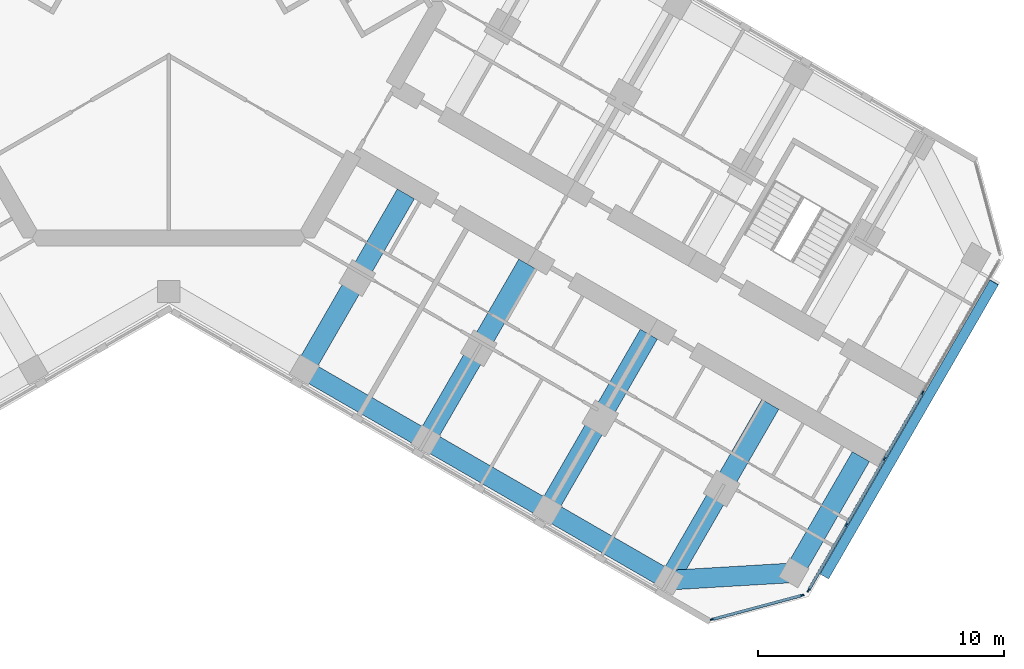
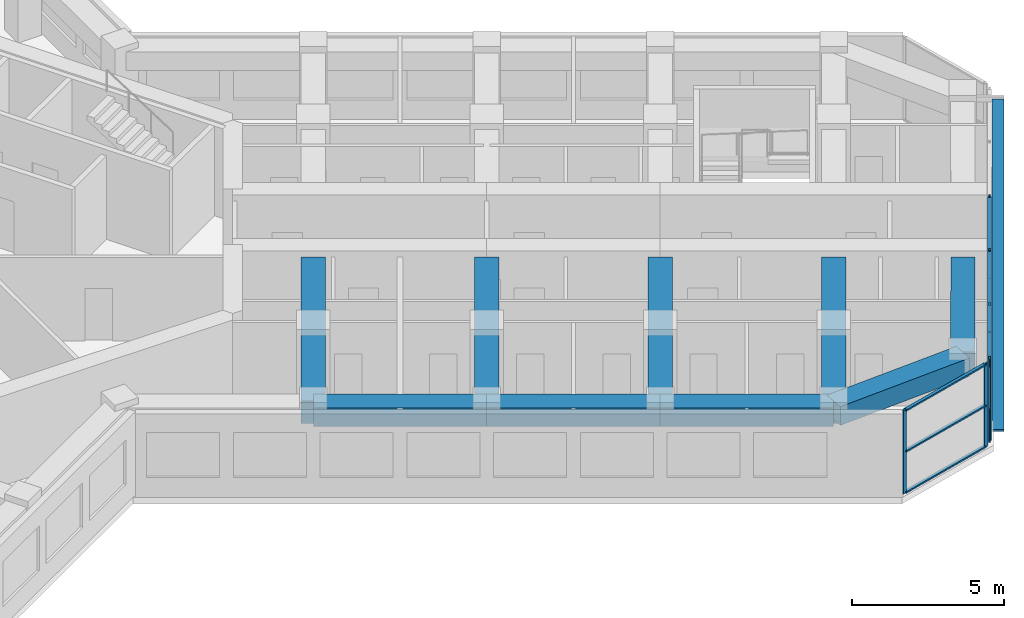
# One storey, part 4 of 16: 16 members, 9 beams, 2 elements without a shape of their own.
"""IFC4 building model written with IfcOpenShell, lengths in metres."""

from ifc_helpers import new_model, si_unit, direction, frame, origin, origin_2d, place, context, subcontext, project, spatial, rectangle, extrude, material, material_profile, profile_set, type_object, element, aggregate, save


model = new_model("IFC4")

# Units and contexts
model_context = context("Model", 3, precision=1e-05, world=origin(), true_north=direction((0.0, 1.0)))
body_context = subcontext(model_context, "Body", "Model", "MODEL_VIEW")
ifc_project = project(units=[si_unit("LENGTHUNIT", "METRE"), si_unit("AREAUNIT", "SQUARE_METRE"), si_unit("VOLUMEUNIT", "CUBIC_METRE"), si_unit("PLANEANGLEUNIT", "RADIAN"), si_unit("MASSUNIT", "GRAM", prefix="KILO")], contexts=[model_context])

# Site, building, storey
site_placement = place(None, origin())
site = spatial("IfcSite", under=ifc_project, at=site_placement, CompositionType="ELEMENT")
building_placement = place(site_placement, origin())
building = spatial("IfcBuilding", under=site, at=building_placement, Name="Kosmar Iwan School Tower", CompositionType="ELEMENT")
storey_placement = place(building_placement, frame((0.0, 0.0, 215.39990234375)))
storey = spatial("IfcBuildingStorey", under=building, at=storey_placement, Name="L54", CompositionType="ELEMENT", Elevation=215.39990234375)

# Member
ifc_material_1 = material(Name="Black anodised aluminium", Category="aluminium")
ifc_material_profile_1 = material_profile(ifc_material_1, rectangle(XDim=0.10009765625, YDim=0.39990234375, at=origin_2d()), Name="FIN 100x400")
ifc_profile_set_1 = profile_set([ifc_material_profile_1], Name="Black anodised aluminium")
member_type_1 = type_object("IfcMemberType", Name="Diagonal fin 100x400", PredefinedType="USERDEFINED", material=ifc_profile_set_1)
member_1_placement = place(storey_placement, frame((26.645263671875, -23.34912109375, -0.14990234375), z_axis=(0.483793446988, 0.837970316603, 0.25248692866), x_axis=(-0.126241714543, -0.218661104574, 0.96760030532)))
element("IfcMember", 1, at=member_1_placement, inside=storey, type_object=member_type_1, Name="Diagonal fin L54-F01", ObjectType="FIN", PredefinedType="USERDEFINED", context=body_context, shape_type="SweptSolid", body=[
    extrude(rectangle(XDim=0.10009765625, YDim=0.39990234375, at=origin_2d()), origin(), (0.0, 0.0, 1.0), 14.258544921875),
])

# Curtain wall, members
ifc_material_2 = material(Name="Dark glass in black aluminium frame", Category="aluminium")
curtain_wall_type_1 = type_object("IfcCurtainWallType", Name="Chamfer curtain wall dark glass", PredefinedType="USERDEFINED", material=ifc_material_2)
curtain_wall_1_placement = place(storey_placement, origin())
curtain_wall_1 = element("IfcCurtainWall", 2, at=curtain_wall_1_placement, inside=storey, type_object=curtain_wall_type_1, Name="Curtain wall L54-F00", ObjectType="FACETED CURTAIN WALL", PredefinedType="USERDEFINED")
ifc_material_3 = material(Name="Black anodised aluminium", Category="aluminium")
ifc_material_profile_2 = material_profile(ifc_material_3, rectangle(XDim=0.06005859375, YDim=0.159912109375, at=origin_2d()), Name="MULLION 60x160")
ifc_profile_set_2 = profile_set([ifc_material_profile_2], Name="Black anodised aluminium")
member_type_2 = type_object("IfcMemberType", Name="Mullion 60x160", PredefinedType="MULLION", material=ifc_profile_set_2)
member_2_placement = place(storey_placement, frame((22.0830078125, -25.102294921875, 0.0), z_axis=(0.0, 0.0, 1.0), x_axis=(-0.258818861462, 0.965925875495, 0.0)))
member_2 = element("IfcMember", 3, at=member_2_placement, type_object=member_type_2, Name="CW2 mullion 1", PredefinedType="MULLION", context=body_context, shape_type="SweptSolid", body=[
    extrude(rectangle(XDim=0.06005859375, YDim=0.159912109375, at=origin_2d()), origin(), (0.0, 0.0, 1.0), 3.35009765625),
])
member_3_placement = place(storey_placement, frame((25.733154296875, -24.124267578125, 0.0), z_axis=(0.0, 0.0, 1.0), x_axis=(-0.258818861462, 0.965925875495, 0.0)))
member_3 = element("IfcMember", 4, at=member_3_placement, type_object=member_type_2, Name="CW2 mullion 2", PredefinedType="MULLION", context=body_context, shape_type="SweptSolid", body=[
    extrude(rectangle(XDim=0.06005859375, YDim=0.159912109375, at=origin_2d()), origin(), (0.0, 0.0, 1.0), 3.35009765625),
])

ifc_material_4 = material(Name="Dark glass in black aluminium frame", Category="aluminium")
curtain_wall_type_2 = type_object("IfcCurtainWallType", Name="Tower curtain wall dark glass", PredefinedType="USERDEFINED", material=ifc_material_4)
curtain_wall_2_placement = place(storey_placement, origin())
curtain_wall_2 = element("IfcCurtainWall", 5, at=curtain_wall_2_placement, inside=storey, type_object=curtain_wall_type_2, Name="Curtain wall L54-F01", ObjectType="UNITISED CURTAIN WALL", PredefinedType="USERDEFINED")
member_4_placement = place(storey_placement, frame((25.9970703125, -23.921630859375, 0.0), z_axis=(0.0, 0.0, 1.0), x_axis=(-0.866025405329, 0.499999997325, 0.0)))
member_4 = element("IfcMember", 6, at=member_4_placement, type_object=member_type_2, Name="CW1 mullion 1", PredefinedType="MULLION", context=body_context, shape_type="SweptSolid", body=[
    extrude(rectangle(XDim=0.06005859375, YDim=0.159912109375, at=origin_2d()), origin(), (0.0, 0.0, 1.0), 3.35009765625),
])
member_5_placement = place(storey_placement, frame((27.53173828125, -21.263671875, 0.0), z_axis=(0.0, 0.0, 1.0), x_axis=(-0.866025405329, 0.499999997325, 0.0)))
member_5 = element("IfcMember", 7, at=member_5_placement, type_object=member_type_2, Name="CW1 mullion 2", PredefinedType="MULLION", context=body_context, shape_type="SweptSolid", body=[
    extrude(rectangle(XDim=0.06005859375, YDim=0.159912109375, at=origin_2d()), origin(), (0.0, 0.0, 1.0), 3.35009765625),
])
member_6_placement = place(storey_placement, frame((29.081298828125, -18.57958984375, 0.0), z_axis=(0.0, 0.0, 1.0), x_axis=(-0.866025405329, 0.499999997325, 0.0)))
member_6 = element("IfcMember", 8, at=member_6_placement, type_object=member_type_2, Name="CW1 mullion 3", PredefinedType="MULLION", context=body_context, shape_type="SweptSolid", body=[
    extrude(rectangle(XDim=0.06005859375, YDim=0.159912109375, at=origin_2d()), origin(), (0.0, 0.0, 1.0), 3.35009765625),
])
member_7_placement = place(storey_placement, frame((30.631103515625, -15.8955078125, 0.0), z_axis=(0.0, 0.0, 1.0), x_axis=(-0.866025405329, 0.499999997325, 0.0)))
member_7 = element("IfcMember", 9, at=member_7_placement, type_object=member_type_2, Name="CW1 mullion 4", PredefinedType="MULLION", context=body_context, shape_type="SweptSolid", body=[
    extrude(rectangle(XDim=0.06005859375, YDim=0.159912109375, at=origin_2d()), origin(), (0.0, 0.0, 1.0), 3.35009765625),
])

# Beams
ifc_material_5 = material(Name="Concrete C50/60", Category="concrete")
ifc_material_profile_3 = material_profile(ifc_material_5, rectangle(XDim=0.800048828125, YDim=0.75, at=origin_2d()), Name="RC 800x750")
ifc_profile_set_3 = profile_set([ifc_material_profile_3], Name="Concrete C50/60")
beam_type_1 = type_object("IfcBeamType", Name="RC edge beam 800x750", PredefinedType="BEAM", material=ifc_profile_set_3)
beam_1_placement = place(storey_placement, frame((5.5087890625, -14.95849609375, 2.97509765625), z_axis=(0.866033658841, -0.49998570155, 0.0), x_axis=(0.49998570155, 0.866033658841, 0.0)))
element("IfcBeam", 10, at=beam_1_placement, inside=storey, type_object=beam_type_1, Name="Edge beam CR2", PredefinedType="BEAM", context=body_context, shape_type="SweptSolid", body=[
    extrude(rectangle(XDim=0.800048828125, YDim=0.75, at=origin_2d()), origin(), (0.0, 0.0, 1.0), 5.699951171875),
])
beam_2_placement = place(storey_placement, frame((10.445068359375, -17.808349609375, 2.97509765625), z_axis=(0.866025820012, -0.499999279071, 0.0), x_axis=(0.499999279071, 0.866025820012, 0.0)))
element("IfcBeam", 11, at=beam_2_placement, inside=storey, type_object=beam_type_1, Name="Edge beam CR3", PredefinedType="BEAM", context=body_context, shape_type="SweptSolid", body=[
    extrude(rectangle(XDim=0.800048828125, YDim=0.75, at=origin_2d()), origin(), (0.0, 0.0, 1.0), 5.7001953125),
])
beam_3_placement = place(storey_placement, frame((15.381591796875, -20.658447265625, 2.97509765625), z_axis=(0.866015111908, -0.50001782563, 0.0), x_axis=(0.50001782563, 0.866015111908, 0.0)))
element("IfcBeam", 12, at=beam_3_placement, inside=storey, type_object=beam_type_1, Name="Edge beam CR4", PredefinedType="BEAM", context=body_context, shape_type="SweptSolid", body=[
    extrude(rectangle(XDim=0.800048828125, YDim=0.75, at=origin_2d()), origin(), (0.0, 0.0, 1.0), 5.699951171875),
])
ifc_material_6 = material(Name="Concrete C50/60", Category="concrete")
ifc_material_profile_4 = material_profile(ifc_material_6, rectangle(XDim=0.800048828125, YDim=0.75, at=origin_2d()), Name="RC 800x750")
ifc_profile_set_4 = profile_set([ifc_material_profile_4], Name="Concrete C50/60")
beam_type_2 = type_object("IfcBeamType", Name="RC tip beam 800x750", PredefinedType="BEAM", material=ifc_profile_set_4)
beam_4_placement = place(storey_placement, frame((20.31787109375, -23.508544921875, 2.97509765625), z_axis=(0.998260616478, 0.058955420358, 0.0), x_axis=(-0.058955420358, 0.998260616478, 0.0)))
element("IfcBeam", 13, at=beam_4_placement, inside=storey, type_object=beam_type_2, Name="Tip beam CR", PredefinedType="BEAM", context=body_context, shape_type="SweptSolid", body=[
    extrude(rectangle(XDim=0.800048828125, YDim=0.75, at=origin_2d()), origin(), (0.0, 0.0, 1.0), 5.08935546875),
])
beam_5_placement = place(storey_placement, frame((25.3984375, -23.20849609375, 2.97509765625), z_axis=(0.500022328685, 0.866012511928, 0.0), x_axis=(-0.866012511928, 0.500022328685, 0.0)))
element("IfcBeam", 14, at=beam_5_placement, inside=storey, type_object=beam_type_2, Name="Tip beam CR to corridor wall", PredefinedType="BEAM", context=body_context, shape_type="SweptSolid", body=[
    extrude(rectangle(XDim=0.800048828125, YDim=0.75, at=origin_2d()), origin(), (0.0, 0.0, 1.0), 5.449951171875),
])
ifc_material_7 = material(Name="Concrete C50/60", Category="concrete")
ifc_material_profile_5 = material_profile(ifc_material_7, rectangle(XDim=0.800048828125, YDim=0.89990234375, at=origin_2d()), Name="RC 800x900")
ifc_profile_set_5 = profile_set([ifc_material_profile_5], Name="Concrete C50/60")
beam_type_3 = type_object("IfcBeamType", Name="RC transverse beam 800x900", PredefinedType="BEAM", material=ifc_profile_set_5)
beam_6_placement = place(storey_placement, frame((5.5087890625, -14.95849609375, 2.900146484375), z_axis=(0.499996545922, 0.866027397988, 0.0), x_axis=(-0.866027397988, 0.499996545922, 0.0)))
element("IfcBeam", 15, at=beam_6_placement, inside=storey, type_object=beam_type_3, Name="Transverse beam CR1", PredefinedType="BEAM", context=body_context, shape_type="SweptSolid", body=[
    extrude(rectangle(XDim=0.800048828125, YDim=0.89990234375, at=origin_2d()), origin(), (0.0, 0.0, 1.0), 8.25),
])
beam_7_placement = place(storey_placement, frame((10.445068359375, -17.808349609375, 2.900146484375), z_axis=(0.500009360108, 0.866019999656, 0.0), x_axis=(-0.866019999656, 0.500009360108, 0.0)))
element("IfcBeam", 16, at=beam_7_placement, inside=storey, type_object=beam_type_3, Name="Transverse beam CR2", PredefinedType="BEAM", context=body_context, shape_type="SweptSolid", body=[
    extrude(rectangle(XDim=0.800048828125, YDim=0.89990234375, at=origin_2d()), origin(), (0.0, 0.0, 1.0), 8.249755859375),
])
for number, where, z_axis, x_axis, name in (
    (17, (15.381591796875, -20.658447265625, 2.900146484375), (0.499996545922, 0.866027397988, 0.0), (-0.866027397988, 0.499996545922, 0.0), "Transverse beam CR3"),
    (18, (20.31787109375, -23.508544921875, 2.900146484375), (0.499996545922, 0.866027397988, 0.0), (-0.866027397988, 0.499996545922, 0.0), "Transverse beam CR4"),
):
    element("IfcBeam", number, at=place(storey_placement, frame(where, z_axis=z_axis, x_axis=x_axis)), inside=storey, type_object=beam_type_3, Name=name, PredefinedType="BEAM", context=body_context, shape_type="SweptSolid", body=[
        extrude(rectangle(XDim=0.800048828125, YDim=0.89990234375, at=origin_2d()), origin(), (0.0, 0.0, 1.0), 8.25),
    ])

# Member
ifc_material_8 = material(Name="Black anodised aluminium", Category="aluminium")
ifc_material_profile_6 = material_profile(ifc_material_8, rectangle(XDim=0.1201171875, YDim=0.06005859375, at=origin_2d()), Name="TRANSOM 60x120")
ifc_profile_set_6 = profile_set([ifc_material_profile_6], Name="Black anodised aluminium")
member_type_3 = type_object("IfcMemberType", Name="Transom 60x120", PredefinedType="USERDEFINED", material=ifc_profile_set_6)
member_8_placement = place(storey_placement, frame((22.11181640625, -25.094482421875, 0.030029296875), z_axis=(0.965923731726, 0.258826861991, 0.0), x_axis=(-0.258826861991, 0.965923731726, 0.0)))
member_8 = element("IfcMember", 19, at=member_8_placement, type_object=member_type_3, Name="CW2 transom 1.1", ObjectType="TRANSOM", PredefinedType="USERDEFINED", context=body_context, shape_type="SweptSolid", body=[
    extrude(rectangle(XDim=0.1201171875, YDim=0.06005859375, at=origin_2d()), origin(), (0.0, 0.0, 1.0), 3.71923828125),
])

member_9_placement = place(storey_placement, frame((22.11181640625, -25.094482421875, 1.675048828125), z_axis=(0.965923731726, 0.258826861991, 0.0), x_axis=(-0.258826861991, 0.965923731726, 0.0)))
member_9 = element("IfcMember", 20, at=member_9_placement, type_object=member_type_3, Name="CW2 transom 1.2", ObjectType="TRANSOM", PredefinedType="USERDEFINED", context=body_context, shape_type="SweptSolid", body=[
    extrude(rectangle(XDim=0.1201171875, YDim=0.06005859375, at=origin_2d()), origin(), (0.0, 0.0, 1.0), 3.71923828125),
])

member_10_placement = place(storey_placement, frame((22.11181640625, -25.094482421875, 3.320068359375), z_axis=(0.965923731726, 0.258826861991, 0.0), x_axis=(-0.258826861991, 0.965923731726, 0.0)))
member_10 = element("IfcMember", 21, at=member_10_placement, type_object=member_type_3, Name="CW2 transom 1.3", ObjectType="TRANSOM", PredefinedType="USERDEFINED", context=body_context, shape_type="SweptSolid", body=[
    extrude(rectangle(XDim=0.1201171875, YDim=0.06005859375, at=origin_2d()), origin(), (0.0, 0.0, 1.0), 3.71923828125),
])

aggregate(curtain_wall_1, [member_2, member_3, member_8, member_9, member_10])

member_11_placement = place(storey_placement, frame((26.01220703125, -23.895751953125, 0.030029296875), z_axis=(0.499986971506, 0.866032925658, 0.0), x_axis=(-0.866032925658, 0.499986971506, 0.0)))
member_11 = element("IfcMember", 22, at=member_11_placement, type_object=member_type_3, Name="CW1 transom 1.1", ObjectType="TRANSOM", PredefinedType="USERDEFINED", context=body_context, shape_type="SweptSolid", body=[
    extrude(rectangle(XDim=0.1201171875, YDim=0.06005859375, at=origin_2d()), origin(), (0.0, 0.0, 1.0), 3.00927734375),
])

member_12_placement = place(storey_placement, frame((26.01220703125, -23.895751953125, 3.320068359375), z_axis=(0.499986971506, 0.866032925658, 0.0), x_axis=(-0.866032925658, 0.499986971506, 0.0)))
member_12 = element("IfcMember", 23, at=member_12_placement, type_object=member_type_3, Name="CW1 transom 1.2", ObjectType="TRANSOM", PredefinedType="USERDEFINED", context=body_context, shape_type="SweptSolid", body=[
    extrude(rectangle(XDim=0.1201171875, YDim=0.06005859375, at=origin_2d()), origin(), (0.0, 0.0, 1.0), 3.00927734375),
])

member_13_placement = place(storey_placement, frame((27.546875, -21.237548828125, 0.030029296875), z_axis=(0.499975102327, 0.866039777986, 0.0), x_axis=(-0.866039777986, 0.499975102327, 0.0)))
member_13 = element("IfcMember", 24, at=member_13_placement, type_object=member_type_3, Name="CW1 transom 2.1", ObjectType="TRANSOM", PredefinedType="USERDEFINED", context=body_context, shape_type="SweptSolid", body=[
    extrude(rectangle(XDim=0.1201171875, YDim=0.06005859375, at=origin_2d()), origin(), (0.0, 0.0, 1.0), 3.039306640625),
])

member_14_placement = place(storey_placement, frame((27.546875, -21.237548828125, 3.320068359375), z_axis=(0.499975102327, 0.866039777986, 0.0), x_axis=(-0.866039777986, 0.499975102327, 0.0)))
member_14 = element("IfcMember", 25, at=member_14_placement, type_object=member_type_3, Name="CW1 transom 2.2", ObjectType="TRANSOM", PredefinedType="USERDEFINED", context=body_context, shape_type="SweptSolid", body=[
    extrude(rectangle(XDim=0.1201171875, YDim=0.06005859375, at=origin_2d()), origin(), (0.0, 0.0, 1.0), 3.039306640625),
])

member_15_placement = place(storey_placement, frame((29.096435546875, -18.553466796875, 0.030029296875), z_axis=(0.499975102327, 0.866039777986, 0.0), x_axis=(-0.866039777986, 0.499975102327, 0.0)))
member_15 = element("IfcMember", 26, at=member_15_placement, type_object=member_type_3, Name="CW1 transom 3.1", ObjectType="TRANSOM", PredefinedType="USERDEFINED", context=body_context, shape_type="SweptSolid", body=[
    extrude(rectangle(XDim=0.1201171875, YDim=0.06005859375, at=origin_2d()), origin(), (0.0, 0.0, 1.0), 3.039306640625),
])

member_16_placement = place(storey_placement, frame((29.096435546875, -18.553466796875, 3.320068359375), z_axis=(0.499975102327, 0.866039777986, 0.0), x_axis=(-0.866039777986, 0.499975102327, 0.0)))
member_16 = element("IfcMember", 27, at=member_16_placement, type_object=member_type_3, Name="CW1 transom 3.2", ObjectType="TRANSOM", PredefinedType="USERDEFINED", context=body_context, shape_type="SweptSolid", body=[
    extrude(rectangle(XDim=0.1201171875, YDim=0.06005859375, at=origin_2d()), origin(), (0.0, 0.0, 1.0), 3.039306640625),
])

aggregate(curtain_wall_2, [member_4, member_5, member_6, member_7, member_11, member_12, member_13, member_14, member_15, member_16])

save(model, "model.ifc")
